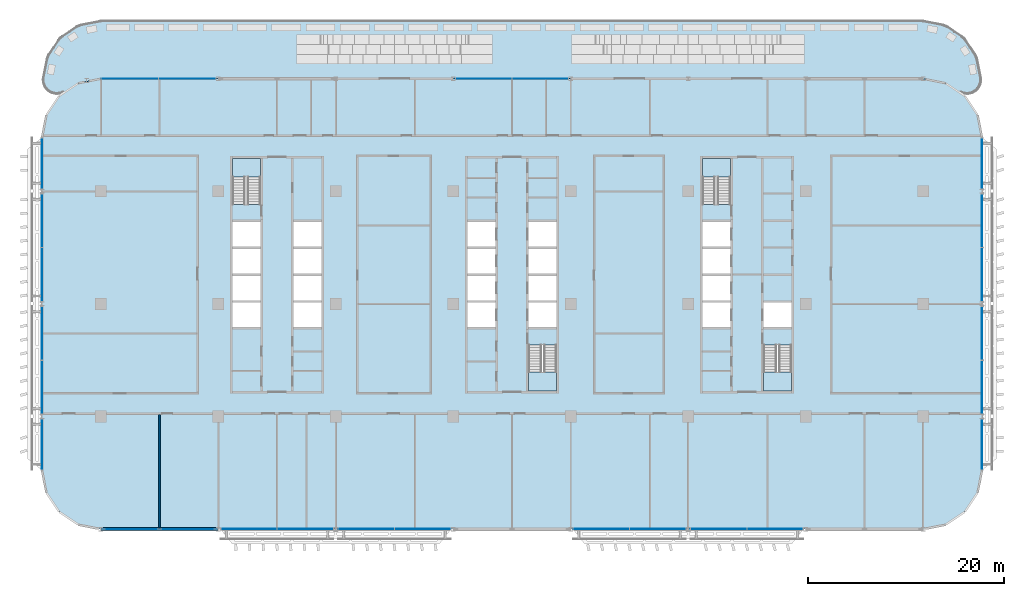
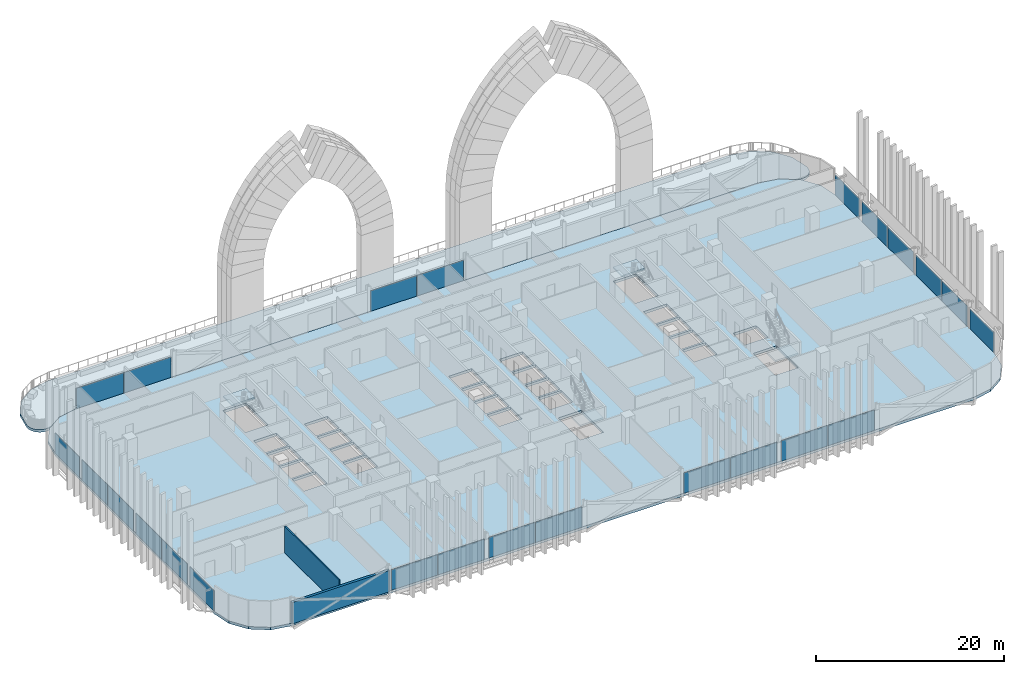
# One storey, part 9 of 30: 24 plates, 6 slabs, 2 walls, 18 elements without a shape of their own.
"""IFC4 building model written with IfcOpenShell, lengths in metres."""

from ifc_helpers import new_model, si_unit, direction, frame, frame_2d, origin, origin_2d, place, context, subcontext, project, spatial, polyline, rectangle, outline, extrude, material, layer, layer_set, type_object, element, aggregate, save


model = new_model("IFC4")

# Units and contexts
model_context = context("Model", 3, precision=1e-05, world=origin(), true_north=direction((0.0, 1.0)))
body_context = subcontext(model_context, "Body", "Model", "MODEL_VIEW")
ifc_project = project(units=[si_unit("LENGTHUNIT", "METRE"), si_unit("AREAUNIT", "SQUARE_METRE"), si_unit("VOLUMEUNIT", "CUBIC_METRE"), si_unit("PLANEANGLEUNIT", "RADIAN"), si_unit("MASSUNIT", "GRAM", prefix="KILO")], contexts=[model_context])

# Site, building, storey
site_placement = place(None, origin())
site = spatial("IfcSite", under=ifc_project, at=site_placement, CompositionType="ELEMENT")
building_placement = place(site_placement, origin())
building = spatial("IfcBuilding", under=site, at=building_placement, Name="Mahtab Terrace Research Tower", CompositionType="ELEMENT")
storey_placement = place(building_placement, frame((0.0, 0.0, 159.199951171875)))
storey = spatial("IfcBuildingStorey", under=building, at=storey_placement, Name="L37", CompositionType="ELEMENT", Elevation=159.199951171875)

# Stair, slab
ifc_material_1 = material(Name="Exit stair half-turn")
stair_type = type_object("IfcStairType", Name="Exit stair half-turn", PredefinedType="HALF_TURN_STAIR", material=ifc_material_1)
stair_1_placement = place(storey_placement, origin())
stair_1 = element("IfcStair", 1, at=stair_1_placement, inside=storey, type_object=stair_type, Name="L37 Protected exit stair ST1", PredefinedType="HALF_TURN_STAIR")
ifc_material_2 = material(Name="Concrete C40/50", Category="concrete")
ifc_layer_1 = layer(ifc_material_2, 0.199951171875)
ifc_layer_set_1 = layer_set([ifc_layer_1], Name="Exit stair landing 200")
slab_type_1 = type_object("IfcSlabType", Name="Exit stair landing 200", PredefinedType="LANDING", material=ifc_layer_set_1)
slab_1_placement = place(storey_placement, frame((0.0, 0.0, 1.699951171875)))
slab_1 = element("IfcSlab", 2, at=slab_1_placement, type_object=slab_type_1, Name="ST1 landing 1", PredefinedType="LANDING", context=body_context, shape_type="SweptSolid", body=[
    extrude(outline(polyline([(-25.699951171875, 12.97509765625), (-25.699951171875, 14.875), (-28.550048828125, 14.875), (-28.550048828125, 12.97509765625), (-25.699951171875, 12.97509765625)])), origin(), (0.0, 0.0, 1.0), 0.2001953125),
])
aggregate(stair_1, [slab_1])

stair_2_placement = place(storey_placement, origin())
stair_2 = element("IfcStair", 3, at=stair_2_placement, inside=storey, type_object=stair_type, Name="L37 Protected exit stair ST2", PredefinedType="HALF_TURN_STAIR")
slab_2_placement = place(storey_placement, frame((0.0, 0.0, 1.699951171875)))
slab_2 = element("IfcSlab", 4, at=slab_2_placement, type_object=slab_type_1, Name="ST2 landing 1", PredefinedType="LANDING", context=body_context, shape_type="SweptSolid", body=[
    extrude(outline(polyline([(1.699951171875, -6.97509765625), (1.699951171875, -8.875), (4.550048828125, -8.875), (4.550048828125, -6.97509765625), (1.699951171875, -6.97509765625)])), origin(), (0.0, 0.0, 1.0), 0.2001953125),
])
aggregate(stair_2, [slab_2])

stair_3_placement = place(storey_placement, origin())
stair_3 = element("IfcStair", 5, at=stair_3_placement, inside=storey, type_object=stair_type, Name="L37 Protected exit stair ST3", PredefinedType="HALF_TURN_STAIR")
slab_3_placement = place(storey_placement, frame((0.0, 0.0, 1.699951171875)))
slab_3 = element("IfcSlab", 6, at=slab_3_placement, type_object=slab_type_1, Name="ST3 landing 1", PredefinedType="LANDING", context=body_context, shape_type="SweptSolid", body=[
    extrude(outline(polyline([(22.300048828125, 12.97509765625), (22.300048828125, 14.875), (19.449951171875, 14.875), (19.449951171875, 12.97509765625), (22.300048828125, 12.97509765625)])), origin(), (0.0, 0.0, 1.0), 0.2001953125),
])
aggregate(stair_3, [slab_3])

stair_4_placement = place(storey_placement, origin())
stair_4 = element("IfcStair", 7, at=stair_4_placement, inside=storey, type_object=stair_type, Name="L37 Protected exit stair ST4", PredefinedType="HALF_TURN_STAIR")
slab_4_placement = place(storey_placement, frame((0.0, 0.0, 1.699951171875)))
slab_4 = element("IfcSlab", 8, at=slab_4_placement, type_object=slab_type_1, Name="ST4 landing 1", PredefinedType="LANDING", context=body_context, shape_type="SweptSolid", body=[
    extrude(outline(polyline([(25.699951171875, -6.97509765625), (25.699951171875, -8.875), (28.550048828125, -8.875), (28.550048828125, -6.97509765625), (25.699951171875, -6.97509765625)])), origin(), (0.0, 0.0, 1.0), 0.2001953125),
])
aggregate(stair_4, [slab_4])

# Slabs
ifc_layer_2 = layer(ifc_material_2, 0.340087890625)
ifc_layer_set_2 = layer_set([ifc_layer_2], Name="PT flat slab 340")
slab_type_2 = type_object("IfcSlabType", Name="PT flat slab 340", PredefinedType="FLOOR", material=ifc_layer_set_2)
slab_5_placement = place(storey_placement, frame((0.0, 0.0, -0.33984375)))
element("IfcSlab", 9, at=slab_5_placement, inside=storey, type_object=slab_type_2, Name="Floor slab L37", PredefinedType="FLOOR", context=body_context, shape_type="SweptSolid", body=[
    extrude(outline(polyline([(47.54296875, 19.2958984375), (46.242919921875, 21.242919921875), (44.2958984375, 22.54296875), (42.0, 23.0), (-42.0, 23.0), (-44.2958984375, 22.54296875), (-46.242919921875, 21.242919921875), (-47.54296875, 19.2958984375), (-48.0, 17.0), (-48.0, -17.0), (-47.54296875, -19.2958984375), (-46.242919921875, -21.242919921875), (-44.2958984375, -22.54296875), (-42.0, -23.0), (42.0, -23.0), (44.2958984375, -22.54296875), (46.242919921875, -21.242919921875), (47.54296875, -19.2958984375), (48.0, -17.0), (48.0, 17.0), (47.54296875, 19.2958984375)]), holes=[polyline([(-28.550048828125, -2.375), (-28.550048828125, 0.125), (-25.699951171875, 0.125), (-25.699951171875, -2.375), (-28.550048828125, -2.375)]), polyline([(-22.300048828125, 0.125), (-19.449951171875, 0.125), (-19.449951171875, -2.375), (-22.300048828125, -2.375), (-22.300048828125, 0.125)]), polyline([(-4.550048828125, 0.125), (-1.699951171875, 0.125), (-1.699951171875, -2.375), (-4.550048828125, -2.375), (-4.550048828125, 0.125)]), polyline([(-28.550048828125, 0.375), (-28.550048828125, 2.875), (-25.699951171875, 2.875), (-25.699951171875, 0.375), (-28.550048828125, 0.375)]), polyline([(-22.300048828125, 2.875), (-19.449951171875, 2.875), (-19.449951171875, 0.375), (-22.300048828125, 0.375), (-22.300048828125, 2.875)]), polyline([(-4.550048828125, 2.875), (-1.699951171875, 2.875), (-1.699951171875, 0.375), (-4.550048828125, 0.375), (-4.550048828125, 2.875)]), polyline([(-28.550048828125, 3.125), (-28.550048828125, 5.625), (-25.699951171875, 5.625), (-25.699951171875, 3.125), (-28.550048828125, 3.125)]), polyline([(-22.300048828125, 5.625), (-19.449951171875, 5.625), (-19.449951171875, 3.125), (-22.300048828125, 3.125), (-22.300048828125, 5.625)]), polyline([(-4.550048828125, 5.625), (-1.699951171875, 5.625), (-1.699951171875, 3.125), (-4.550048828125, 3.125), (-4.550048828125, 5.625)]), polyline([(-28.550048828125, 5.875), (-28.550048828125, 8.375), (-25.699951171875, 8.375), (-25.699951171875, 5.875), (-28.550048828125, 5.875)]), polyline([(-22.300048828125, 8.375), (-19.449951171875, 8.375), (-19.449951171875, 5.875), (-22.300048828125, 5.875), (-22.300048828125, 8.375)]), polyline([(-4.550048828125, 8.375), (-1.699951171875, 8.375), (-1.699951171875, 5.875), (-4.550048828125, 5.875), (-4.550048828125, 8.375)]), polyline([(-28.550048828125, 10.177001953125), (-28.550048828125, 14.875), (-25.699951171875, 14.875), (-25.699951171875, 10.177001953125), (-28.550048828125, 10.177001953125)]), polyline([(1.699951171875, -4.177001953125), (4.550048828125, -4.177001953125), (4.550048828125, -8.875), (1.699951171875, -8.875), (1.699951171875, -4.177001953125)]), polyline([(25.699951171875, -4.177001953125), (28.550048828125, -4.177001953125), (28.550048828125, -8.875), (25.699951171875, -8.875), (25.699951171875, -4.177001953125)]), polyline([(1.699951171875, -2.375), (1.699951171875, 0.125), (4.550048828125, 0.125), (4.550048828125, -2.375), (1.699951171875, -2.375)]), polyline([(19.449951171875, 0.125), (22.300048828125, 0.125), (22.300048828125, -2.375), (19.449951171875, -2.375), (19.449951171875, 0.125)]), polyline([(25.699951171875, 0.125), (28.550048828125, 0.125), (28.550048828125, -2.375), (25.699951171875, -2.375), (25.699951171875, 0.125)]), polyline([(1.699951171875, 0.375), (1.699951171875, 2.875), (4.550048828125, 2.875), (4.550048828125, 0.375), (1.699951171875, 0.375)]), polyline([(19.449951171875, 2.875), (22.300048828125, 2.875), (22.300048828125, 0.375), (19.449951171875, 0.375), (19.449951171875, 2.875)]), polyline([(1.699951171875, 5.625), (4.550048828125, 5.625), (4.550048828125, 3.125), (1.699951171875, 3.125), (1.699951171875, 5.625)]), polyline([(19.449951171875, 5.625), (22.300048828125, 5.625), (22.300048828125, 3.125), (19.449951171875, 3.125), (19.449951171875, 5.625)]), polyline([(1.699951171875, 8.375), (4.550048828125, 8.375), (4.550048828125, 5.875), (1.699951171875, 5.875), (1.699951171875, 8.375)]), polyline([(19.449951171875, 8.375), (22.300048828125, 8.375), (22.300048828125, 5.875), (19.449951171875, 5.875), (19.449951171875, 8.375)]), polyline([(19.449951171875, 14.875), (22.300048828125, 14.875), (22.300048828125, 10.177001953125), (19.449951171875, 10.177001953125), (19.449951171875, 14.875)])]), origin(), (0.0, 0.0, 1.0), 0.33984375),
])
ifc_layer_3 = layer(ifc_material_2, 0.340087890625)
ifc_layer_set_3 = layer_set([ifc_layer_3], Name="PT terrace slab 340")
slab_type_3 = type_object("IfcSlabType", Name="PT terrace slab 340", PredefinedType="FLOOR", material=ifc_layer_set_3)
slab_6_placement = place(storey_placement, frame((0.0, 0.0, -0.33984375)))
element("IfcSlab", 10, at=slab_6_placement, inside=storey, type_object=slab_type_3, Name="Terrace slab L37", PredefinedType="FLOOR", context=body_context, shape_type="SweptSolid", body=[
    extrude(outline(polyline([(-44.326904296875, 22.52294921875), (-44.294921875, 22.5419921875), (-44.260009765625, 22.550048828125), (-42.035888671875, 22.992919921875), (-42.0, 22.998046875), (-41.962890625, 23.0), (41.962890625, 23.0), (42.0, 22.998046875), (42.035888671875, 22.992919921875), (44.260009765625, 22.550048828125), (44.294921875, 22.5419921875), (44.326904296875, 22.52294921875), (45.660888671875, 21.631103515625), (45.7880859375, 21.554931640625), (45.9208984375, 21.491943359375), (46.05908203125, 21.443115234375), (46.201904296875, 21.406982421875), (46.347900390625, 21.385009765625), (46.4951171875, 21.3779296875), (46.64208984375, 21.385009765625), (46.787109375, 21.406982421875), (46.929931640625, 21.443115234375), (47.069091796875, 21.491943359375), (47.201904296875, 21.554931640625), (47.327880859375, 21.631103515625), (47.446044921875, 21.718994140625), (47.555908203125, 21.81689453125), (47.654052734375, 21.927001953125), (47.741943359375, 22.044921875), (47.818115234375, 22.1708984375), (47.881103515625, 22.303955078125), (47.929931640625, 22.443115234375), (47.966064453125, 22.5859375), (47.988037109375, 22.73095703125), (47.9951171875, 22.8779296875), (47.988037109375, 23.02490234375), (47.966064453125, 23.1708984375), (47.60107421875, 25.0029296875), (47.56591796875, 25.14599609375), (47.51611328125, 25.284912109375), (47.452880859375, 25.41796875), (47.3779296875, 25.5439453125), (46.407958984375, 26.9951171875), (46.321044921875, 27.113037109375), (46.221923828125, 27.221923828125), (46.113037109375, 27.321044921875), (45.9951171875, 27.407958984375), (44.5439453125, 28.3779296875), (44.41796875, 28.452880859375), (44.284912109375, 28.51611328125), (44.14599609375, 28.56591796875), (44.0029296875, 28.60107421875), (42.14501953125, 28.970947265625), (41.9990234375, 28.992919921875), (41.85205078125, 29.0), (-41.85205078125, 29.0), (-41.9990234375, 28.992919921875), (-42.14501953125, 28.970947265625), (-44.0029296875, 28.60107421875), (-44.14599609375, 28.56591796875), (-44.284912109375, 28.51611328125), (-44.41796875, 28.452880859375), (-44.5439453125, 28.3779296875), (-45.9951171875, 27.407958984375), (-46.113037109375, 27.321044921875), (-46.221923828125, 27.221923828125), (-46.321044921875, 27.113037109375), (-46.407958984375, 26.9951171875), (-47.3779296875, 25.5439453125), (-47.452880859375, 25.41796875), (-47.51611328125, 25.284912109375), (-47.56591796875, 25.14599609375), (-47.60107421875, 25.0029296875), (-47.966064453125, 23.1708984375), (-47.988037109375, 23.02490234375), (-47.9951171875, 22.8779296875), (-47.988037109375, 22.73095703125), (-47.966064453125, 22.5859375), (-47.929931640625, 22.443115234375), (-47.881103515625, 22.303955078125), (-47.818115234375, 22.1708984375), (-47.741943359375, 22.044921875), (-47.654052734375, 21.927001953125), (-47.555908203125, 21.81689453125), (-47.446044921875, 21.718994140625), (-47.327880859375, 21.631103515625), (-47.201904296875, 21.554931640625), (-47.069091796875, 21.491943359375), (-46.929931640625, 21.443115234375), (-46.787109375, 21.406982421875), (-46.64208984375, 21.385009765625), (-46.4951171875, 21.3779296875), (-46.347900390625, 21.385009765625), (-46.201904296875, 21.406982421875), (-46.05908203125, 21.443115234375), (-45.9208984375, 21.491943359375), (-45.7880859375, 21.554931640625), (-45.660888671875, 21.631103515625), (-44.326904296875, 22.52294921875)])), origin(), (0.0, 0.0, 1.0), 0.33984375),
])

# Curtain wall, plates
ifc_material_3 = material(Name="Sky lounge full-height curtain wall")
curtain_wall_type = type_object("IfcCurtainWallType", Name="Sky lounge full-height curtain wall", PredefinedType="NOTDEFINED", material=ifc_material_3)
curtain_wall_1_placement = place(storey_placement, origin())
curtain_wall_1 = element("IfcCurtainWall", 11, at=curtain_wall_1_placement, inside=storey, type_object=curtain_wall_type, Name="EN.L37.3.6", PredefinedType="NOTDEFINED")
ifc_material_4 = material(Name="Dark glazing", Category="glass")
ifc_layer_4 = layer(ifc_material_4, 0.0400390625)
ifc_layer_set_4 = layer_set([ifc_layer_4], Name="Sky lounge full-height curtain wall glazing panel")
plate_type = type_object("IfcPlateType", Name="Sky lounge full-height curtain wall glazing panel", PredefinedType="CURTAIN_PANEL", material=ifc_layer_set_4)
plate_1_placement = place(storey_placement, frame((2.87841796875, 23.0, 0.0), z_axis=(0.0, 0.0, 1.0), x_axis=(-1.0, 0.0, 0.0)))
plate_1 = element("IfcPlate", 12, at=plate_1_placement, type_object=plate_type, Name="CWS-5 panel 1", PredefinedType="CURTAIN_PANEL", context=body_context, shape_type="SweptSolid", body=[
    extrude(rectangle(XDim=5.68701171875, YDim=0.0400390625, at=origin_2d()), origin(), (0.0, 0.0, 1.0), 2.661865234375),
])
plate_2_placement = place(storey_placement, frame((-2.87841796875, 23.0, 0.0), z_axis=(0.0, 0.0, 1.0), x_axis=(-1.0, 0.0, 0.0)))
plate_2 = element("IfcPlate", 13, at=plate_2_placement, type_object=plate_type, Name="CWS-5 panel 2", PredefinedType="CURTAIN_PANEL", context=body_context, shape_type="SweptSolid", body=[
    extrude(rectangle(XDim=5.68701171875, YDim=0.0400390625, at=origin_2d()), origin(), (0.0, 0.0, 1.0), 2.661865234375),
])
aggregate(curtain_wall_1, [plate_1, plate_2])

curtain_wall_2_placement = place(storey_placement, origin())
curtain_wall_2 = element("IfcCurtainWall", 14, at=curtain_wall_2_placement, inside=storey, type_object=curtain_wall_type, Name="EN.L37.3.9", PredefinedType="NOTDEFINED")
plate_3_placement = place(storey_placement, frame((-33.173583984375, 23.0, 0.0), z_axis=(0.0, 0.0, 1.0), x_axis=(-1.0, 0.0, 0.0)))
plate_3 = element("IfcPlate", 15, at=plate_3_placement, type_object=plate_type, Name="CWS-5 panel 1", PredefinedType="CURTAIN_PANEL", context=body_context, shape_type="SweptSolid", body=[
    extrude(rectangle(XDim=5.791015625, YDim=0.0400390625, at=origin_2d()), origin(), (0.0, 0.0, 1.0), 2.661865234375),
])
plate_4_placement = place(storey_placement, frame((-39.034423828125, 23.0, 0.0), z_axis=(0.0, 0.0, 1.0), x_axis=(-1.0, 0.0, 0.0)))
plate_4 = element("IfcPlate", 16, at=plate_4_placement, type_object=plate_type, Name="CWS-5 panel 2", PredefinedType="CURTAIN_PANEL", context=body_context, shape_type="SweptSolid", body=[
    extrude(rectangle(XDim=5.791015625, YDim=0.0400390625, at=origin_2d()), origin(), (0.0, 0.0, 1.0), 2.661865234375),
])
aggregate(curtain_wall_2, [plate_3, plate_4])

# Curtain wall, plate
curtain_wall_3_placement = place(storey_placement, origin())
curtain_wall_3 = element("IfcCurtainWall", 17, at=curtain_wall_3_placement, inside=storey, type_object=curtain_wall_type, Name="EN.L37.8.15", PredefinedType="NOTDEFINED")
plate_5_placement = place(storey_placement, frame((-48.0, 14.35400390625, 0.0), z_axis=(0.0, 0.0, 1.0), x_axis=(0.0, -1.0, 0.0)))
plate_5 = element("IfcPlate", 18, at=plate_5_placement, type_object=plate_type, Name="CWS-5 panel 1", PredefinedType="CURTAIN_PANEL", context=body_context, shape_type="SweptSolid", body=[
    extrude(rectangle(XDim=5.152099609375, YDim=0.0400390625, at=origin_2d()), origin(), (0.0, 0.0, 1.0), 2.661865234375),
])
aggregate(curtain_wall_3, [plate_5])

# Curtain wall, plates
curtain_wall_4_placement = place(storey_placement, origin())
curtain_wall_4 = element("IfcCurtainWall", 19, at=curtain_wall_4_placement, inside=storey, type_object=curtain_wall_type, Name="EN.L37.8.16", PredefinedType="NOTDEFINED")
plate_6_placement = place(storey_placement, frame((-48.0, 8.50341796875, 0.0), z_axis=(0.0, 0.0, 1.0), x_axis=(0.0, -1.0, 0.0)))
plate_6 = element("IfcPlate", 20, at=plate_6_placement, type_object=plate_type, Name="CWS-5 panel 1", PredefinedType="CURTAIN_PANEL", context=body_context, shape_type="SweptSolid", body=[
    extrude(rectangle(XDim=5.43701171875, YDim=0.0400390625, at=origin_2d()), origin(), (0.0, 0.0, 1.0), 2.661865234375),
])
plate_7_placement = place(storey_placement, frame((-48.0, 2.99658203125, 0.0), z_axis=(0.0, 0.0, 1.0), x_axis=(0.0, -1.0, 0.0)))
plate_7 = element("IfcPlate", 21, at=plate_7_placement, type_object=plate_type, Name="CWS-5 panel 2", PredefinedType="CURTAIN_PANEL", context=body_context, shape_type="SweptSolid", body=[
    extrude(rectangle(XDim=5.43701171875, YDim=0.0400390625, at=origin_2d()), origin(), (0.0, 0.0, 1.0), 2.661865234375),
])
aggregate(curtain_wall_4, [plate_6, plate_7])

curtain_wall_5_placement = place(storey_placement, origin())
curtain_wall_5 = element("IfcCurtainWall", 22, at=curtain_wall_5_placement, inside=storey, type_object=curtain_wall_type, Name="EN.L37.8.17", PredefinedType="NOTDEFINED")
plate_8_placement = place(storey_placement, frame((-48.0, -2.99658203125, 0.0), z_axis=(0.0, 0.0, 1.0), x_axis=(0.0, -1.0, 0.0)))
plate_8 = element("IfcPlate", 23, at=plate_8_placement, type_object=plate_type, Name="CWS-5 panel 1", PredefinedType="CURTAIN_PANEL", context=body_context, shape_type="SweptSolid", body=[
    extrude(rectangle(XDim=5.43701171875, YDim=0.0400390625, at=origin_2d()), origin(), (0.0, 0.0, 1.0), 2.661865234375),
])
plate_9_placement = place(storey_placement, frame((-48.0, -8.50341796875, 0.0), z_axis=(0.0, 0.0, 1.0), x_axis=(0.0, -1.0, 0.0)))
plate_9 = element("IfcPlate", 24, at=plate_9_placement, type_object=plate_type, Name="CWS-5 panel 2", PredefinedType="CURTAIN_PANEL", context=body_context, shape_type="SweptSolid", body=[
    extrude(rectangle(XDim=5.43701171875, YDim=0.0400390625, at=origin_2d()), origin(), (0.0, 0.0, 1.0), 2.661865234375),
])
aggregate(curtain_wall_5, [plate_8, plate_9])

# Curtain wall, plate
curtain_wall_6_placement = place(storey_placement, origin())
curtain_wall_6 = element("IfcCurtainWall", 25, at=curtain_wall_6_placement, inside=storey, type_object=curtain_wall_type, Name="EN.L37.8.18", PredefinedType="NOTDEFINED")
plate_10_placement = place(storey_placement, frame((-48.0, -14.35400390625, 0.0), z_axis=(0.0, 0.0, 1.0), x_axis=(0.0, -1.0, 0.0)))
plate_10 = element("IfcPlate", 26, at=plate_10_placement, type_object=plate_type, Name="CWS-5 panel 1", PredefinedType="CURTAIN_PANEL", context=body_context, shape_type="SweptSolid", body=[
    extrude(rectangle(XDim=5.152099609375, YDim=0.0400390625, at=origin_2d()), origin(), (0.0, 0.0, 1.0), 2.661865234375),
])
aggregate(curtain_wall_6, [plate_10])

# Curtain wall, plates
curtain_wall_7_placement = place(storey_placement, origin())
curtain_wall_7 = element("IfcCurtainWall", 27, at=curtain_wall_7_placement, inside=storey, type_object=curtain_wall_type, Name="EN.L37.13.24", PredefinedType="NOTDEFINED")
plate_11_placement = place(storey_placement, frame((-26.87841796875, -23.0, 0.0), z_axis=(0.0, 0.0, 1.0), x_axis=(1.0, 0.0, 0.0)))
plate_11 = element("IfcPlate", 28, at=plate_11_placement, type_object=plate_type, Name="CWS-5 panel 1", PredefinedType="CURTAIN_PANEL", context=body_context, shape_type="SweptSolid", body=[
    extrude(rectangle(XDim=5.68701171875, YDim=0.0400390625, at=origin_2d()), origin(), (0.0, 0.0, 1.0), 2.661865234375),
])
plate_12_placement = place(storey_placement, frame((-21.12158203125, -23.0, 0.0), z_axis=(0.0, 0.0, 1.0), x_axis=(1.0, 0.0, 0.0)))
plate_12 = element("IfcPlate", 29, at=plate_12_placement, type_object=plate_type, Name="CWS-5 panel 2", PredefinedType="CURTAIN_PANEL", context=body_context, shape_type="SweptSolid", body=[
    extrude(rectangle(XDim=5.68701171875, YDim=0.0400390625, at=origin_2d()), origin(), (0.0, 0.0, 1.0), 2.661865234375),
])
aggregate(curtain_wall_7, [plate_11, plate_12])

curtain_wall_8_placement = place(storey_placement, origin())
curtain_wall_8 = element("IfcCurtainWall", 30, at=curtain_wall_8_placement, inside=storey, type_object=curtain_wall_type, Name="EN.L37.13.25", PredefinedType="NOTDEFINED")
plate_13_placement = place(storey_placement, frame((-14.87841796875, -23.0, 0.0), z_axis=(0.0, 0.0, 1.0), x_axis=(1.0, 0.0, 0.0)))
plate_13 = element("IfcPlate", 31, at=plate_13_placement, type_object=plate_type, Name="CWS-5 panel 1", PredefinedType="CURTAIN_PANEL", context=body_context, shape_type="SweptSolid", body=[
    extrude(rectangle(XDim=5.68701171875, YDim=0.0400390625, at=origin_2d()), origin(), (0.0, 0.0, 1.0), 2.661865234375),
])
plate_14_placement = place(storey_placement, frame((-9.12158203125, -23.0, 0.0), z_axis=(0.0, 0.0, 1.0), x_axis=(1.0, 0.0, 0.0)))
plate_14 = element("IfcPlate", 32, at=plate_14_placement, type_object=plate_type, Name="CWS-5 panel 2", PredefinedType="CURTAIN_PANEL", context=body_context, shape_type="SweptSolid", body=[
    extrude(rectangle(XDim=5.68701171875, YDim=0.0400390625, at=origin_2d()), origin(), (0.0, 0.0, 1.0), 2.661865234375),
])
aggregate(curtain_wall_8, [plate_13, plate_14])

curtain_wall_9_placement = place(storey_placement, origin())
curtain_wall_9 = element("IfcCurtainWall", 33, at=curtain_wall_9_placement, inside=storey, type_object=curtain_wall_type, Name="EN.L37.13.27", PredefinedType="NOTDEFINED")
plate_15_placement = place(storey_placement, frame((9.12158203125, -23.0, 0.0), z_axis=(0.0, 0.0, 1.0), x_axis=(1.0, 0.0, 0.0)))
plate_15 = element("IfcPlate", 34, at=plate_15_placement, type_object=plate_type, Name="CWS-5 panel 1", PredefinedType="CURTAIN_PANEL", context=body_context, shape_type="SweptSolid", body=[
    extrude(rectangle(XDim=5.68701171875, YDim=0.0400390625, at=origin_2d()), origin(), (0.0, 0.0, 1.0), 2.661865234375),
])
plate_16_placement = place(storey_placement, frame((14.87841796875, -23.0, 0.0), z_axis=(0.0, 0.0, 1.0), x_axis=(1.0, 0.0, 0.0)))
plate_16 = element("IfcPlate", 35, at=plate_16_placement, type_object=plate_type, Name="CWS-5 panel 2", PredefinedType="CURTAIN_PANEL", context=body_context, shape_type="SweptSolid", body=[
    extrude(rectangle(XDim=5.68701171875, YDim=0.0400390625, at=origin_2d()), origin(), (0.0, 0.0, 1.0), 2.661865234375),
])
aggregate(curtain_wall_9, [plate_15, plate_16])

curtain_wall_10_placement = place(storey_placement, origin())
curtain_wall_10 = element("IfcCurtainWall", 36, at=curtain_wall_10_placement, inside=storey, type_object=curtain_wall_type, Name="EN.L37.13.28", PredefinedType="NOTDEFINED")
plate_17_placement = place(storey_placement, frame((21.12158203125, -23.0, 0.0), z_axis=(0.0, 0.0, 1.0), x_axis=(1.0, 0.0, 0.0)))
plate_17 = element("IfcPlate", 37, at=plate_17_placement, type_object=plate_type, Name="CWS-5 panel 1", PredefinedType="CURTAIN_PANEL", context=body_context, shape_type="SweptSolid", body=[
    extrude(rectangle(XDim=5.68701171875, YDim=0.0400390625, at=origin_2d()), origin(), (0.0, 0.0, 1.0), 2.661865234375),
])
plate_18_placement = place(storey_placement, frame((26.87841796875, -23.0, 0.0), z_axis=(0.0, 0.0, 1.0), x_axis=(1.0, 0.0, 0.0)))
plate_18 = element("IfcPlate", 38, at=plate_18_placement, type_object=plate_type, Name="CWS-5 panel 2", PredefinedType="CURTAIN_PANEL", context=body_context, shape_type="SweptSolid", body=[
    extrude(rectangle(XDim=5.68701171875, YDim=0.0400390625, at=origin_2d()), origin(), (0.0, 0.0, 1.0), 2.661865234375),
])
aggregate(curtain_wall_10, [plate_17, plate_18])

# Curtain wall, plate
curtain_wall_11_placement = place(storey_placement, origin())
curtain_wall_11 = element("IfcCurtainWall", 39, at=curtain_wall_11_placement, inside=storey, type_object=curtain_wall_type, Name="EN.L37.18.34", PredefinedType="NOTDEFINED")
plate_19_placement = place(storey_placement, frame((48.0, -14.35400390625, 0.0), z_axis=(0.0, 0.0, 1.0), x_axis=(0.0, 1.0, 0.0)))
plate_19 = element("IfcPlate", 40, at=plate_19_placement, type_object=plate_type, Name="CWS-5 panel 1", PredefinedType="CURTAIN_PANEL", context=body_context, shape_type="SweptSolid", body=[
    extrude(rectangle(XDim=5.152099609375, YDim=0.0400390625, at=origin_2d()), origin(), (0.0, 0.0, 1.0), 2.661865234375),
])
aggregate(curtain_wall_11, [plate_19])

# Curtain wall, plates
curtain_wall_12_placement = place(storey_placement, origin())
curtain_wall_12 = element("IfcCurtainWall", 41, at=curtain_wall_12_placement, inside=storey, type_object=curtain_wall_type, Name="EN.L37.18.35", PredefinedType="NOTDEFINED")
plate_20_placement = place(storey_placement, frame((48.0, -8.50341796875, 0.0), z_axis=(0.0, 0.0, 1.0), x_axis=(0.0, 1.0, 0.0)))
plate_20 = element("IfcPlate", 42, at=plate_20_placement, type_object=plate_type, Name="CWS-5 panel 1", PredefinedType="CURTAIN_PANEL", context=body_context, shape_type="SweptSolid", body=[
    extrude(rectangle(XDim=5.43701171875, YDim=0.0400390625, at=origin_2d()), origin(), (0.0, 0.0, 1.0), 2.661865234375),
])
plate_21_placement = place(storey_placement, frame((48.0, -2.99658203125, 0.0), z_axis=(0.0, 0.0, 1.0), x_axis=(0.0, 1.0, 0.0)))
plate_21 = element("IfcPlate", 43, at=plate_21_placement, type_object=plate_type, Name="CWS-5 panel 2", PredefinedType="CURTAIN_PANEL", context=body_context, shape_type="SweptSolid", body=[
    extrude(rectangle(XDim=5.43701171875, YDim=0.0400390625, at=origin_2d()), origin(), (0.0, 0.0, 1.0), 2.661865234375),
])
aggregate(curtain_wall_12, [plate_20, plate_21])

curtain_wall_13_placement = place(storey_placement, origin())
curtain_wall_13 = element("IfcCurtainWall", 44, at=curtain_wall_13_placement, inside=storey, type_object=curtain_wall_type, Name="EN.L37.18.36", PredefinedType="NOTDEFINED")
plate_22_placement = place(storey_placement, frame((48.0, 2.99658203125, 0.0), z_axis=(0.0, 0.0, 1.0), x_axis=(0.0, 1.0, 0.0)))
plate_22 = element("IfcPlate", 45, at=plate_22_placement, type_object=plate_type, Name="CWS-5 panel 1", PredefinedType="CURTAIN_PANEL", context=body_context, shape_type="SweptSolid", body=[
    extrude(rectangle(XDim=5.43701171875, YDim=0.0400390625, at=origin_2d()), origin(), (0.0, 0.0, 1.0), 2.661865234375),
])
plate_23_placement = place(storey_placement, frame((48.0, 8.50341796875, 0.0), z_axis=(0.0, 0.0, 1.0), x_axis=(0.0, 1.0, 0.0)))
plate_23 = element("IfcPlate", 46, at=plate_23_placement, type_object=plate_type, Name="CWS-5 panel 2", PredefinedType="CURTAIN_PANEL", context=body_context, shape_type="SweptSolid", body=[
    extrude(rectangle(XDim=5.43701171875, YDim=0.0400390625, at=origin_2d()), origin(), (0.0, 0.0, 1.0), 2.661865234375),
])
aggregate(curtain_wall_13, [plate_22, plate_23])

# Curtain wall, plate
curtain_wall_14_placement = place(storey_placement, origin())
curtain_wall_14 = element("IfcCurtainWall", 47, at=curtain_wall_14_placement, inside=storey, type_object=curtain_wall_type, Name="EN.L37.18.37", PredefinedType="NOTDEFINED")
plate_24_placement = place(storey_placement, frame((48.0, 14.35400390625, 0.0), z_axis=(0.0, 0.0, 1.0), x_axis=(0.0, 1.0, 0.0)))
plate_24 = element("IfcPlate", 48, at=plate_24_placement, type_object=plate_type, Name="CWS-5 panel 1", PredefinedType="CURTAIN_PANEL", context=body_context, shape_type="SweptSolid", body=[
    extrude(rectangle(XDim=5.152099609375, YDim=0.0400390625, at=origin_2d()), origin(), (0.0, 0.0, 1.0), 2.661865234375),
])
aggregate(curtain_wall_14, [plate_24])

# Walls
ifc_material_5 = material(Name="Black aluminium cladding panel", Category="aluminium")
ifc_layer_5 = layer(ifc_material_5, 0.300048828125)
ifc_layer_set_5 = layer_set([ifc_layer_5], Name="Opaque facade wall 300")
wall_type_1 = type_object("IfcWallType", Name="Opaque facade wall 300", PredefinedType="NOTDEFINED", material=ifc_layer_set_5)
wall_1_placement = place(storey_placement, frame((-41.985107421875, -23.0, 0.0), z_axis=(0.0, 0.0, 1.0), x_axis=(1.0, 0.0, 0.0)))
element("IfcWall", 49, at=wall_1_placement, inside=storey, type_object=wall_type_1, Name="Opaque facade wall L37 S23", PredefinedType="NOTDEFINED", context=body_context, shape_type="SweptSolid", body=[
    extrude(rectangle(XDim=11.97021484375, YDim=0.300048828125, at=frame_2d((5.985107421875, 0.0))), origin(), (0.0, 0.0, 1.0), 2.78173828125),
])
ifc_material_6 = material(Name="Gypsum board partition on steel studs", Category="steel")
ifc_layer_6 = layer(ifc_material_6, 0.14990234375)
ifc_layer_set_6 = layer_set([ifc_layer_6], Name="WALL PARTITION 150")
wall_type_2 = type_object("IfcWallType", Name="WALL PARTITION 150", PredefinedType="PARTITIONING", material=ifc_layer_set_6)
wall_2_placement = place(storey_placement, frame((-36.0, -22.85009765625, 0.0), z_axis=(0.0, 0.0, 1.0), x_axis=(0.0, 1.0, 0.0)))
element("IfcWall", 50, at=wall_2_placement, inside=storey, type_object=wall_type_2, Name="L37-W030", PredefinedType="PARTITIONING", context=body_context, shape_type="SweptSolid", body=[
    extrude(rectangle(XDim=11.550048828125, YDim=0.14990234375, at=frame_2d((5.77490234375, 0.0))), origin(), (0.0, 0.0, 1.0), 3.4599609375),
])

save(model, "model.ifc")
